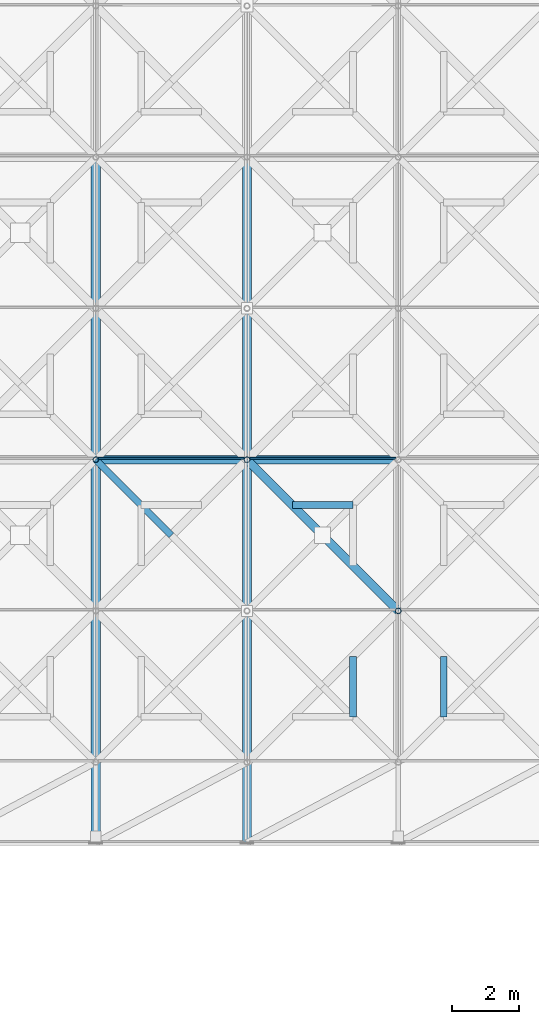
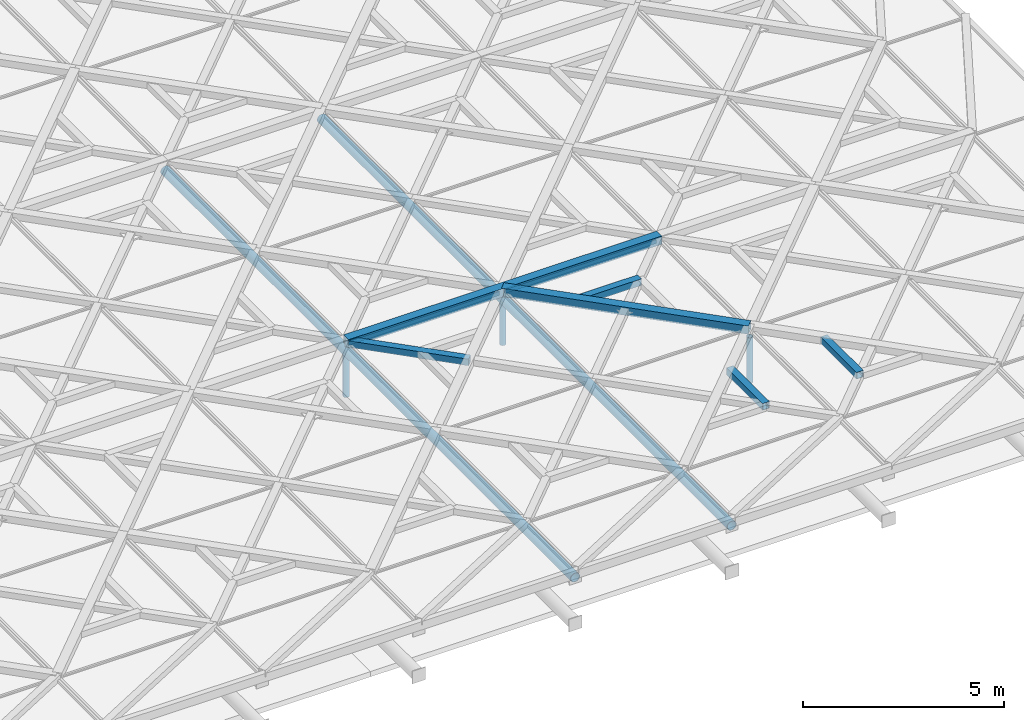
# One storey, part 23 of 80: 13 members, 2 elements without a shape of their own.
"""IFC4 building model written with IfcOpenShell, lengths in metres."""

from ifc_helpers import new_model, si_unit, direction, frame, origin, origin_2d, place, context, subcontext, project, spatial, rectangle, hollow_rectangle, hollow_circle, extrude, material, material_profile, profile_set, type_object, element, aggregate, save


model = new_model("IFC4")

# Units and contexts
model_context = context("Model", 3, precision=1e-05, world=origin(), true_north=direction((0.0, 1.0)))
body_context = subcontext(model_context, "Body", "Model", "MODEL_VIEW")
ifc_project = project(units=[si_unit("LENGTHUNIT", "METRE"), si_unit("AREAUNIT", "SQUARE_METRE"), si_unit("VOLUMEUNIT", "CUBIC_METRE"), si_unit("PLANEANGLEUNIT", "RADIAN"), si_unit("MASSUNIT", "GRAM", prefix="KILO"), si_unit("THERMODYNAMICTEMPERATUREUNIT", "KELVIN"), si_unit("POWERUNIT", "WATT")], contexts=[model_context])

# Site, building, storey
site_placement = place(None, origin())
site = spatial("IfcSite", under=ifc_project, at=site_placement, CompositionType="ELEMENT")
building_placement = place(site_placement, origin())
building = spatial("IfcBuilding", under=site, at=building_placement, Name="Tallowbark Science Centre", CompositionType="ELEMENT")
storey_placement = place(building_placement, frame((0.0, 0.0, 25.949951171875)))
storey = spatial("IfcBuildingStorey", under=building, at=storey_placement, Name="ROOF", CompositionType="ELEMENT", Elevation=25.949951171875)

# Curtain wall, member
ifc_material_1 = material(Name="Blue-Tinted Laminated Low-E Skylight Glass", Category="glass")
curtain_wall_type = type_object("IfcCurtainWallType", Name="CW-SKY-ROOF", PredefinedType="NOTDEFINED", material=ifc_material_1)
curtain_wall_1_placement = place(storey_placement, origin())
curtain_wall_1 = element("IfcCurtainWall", 1, at=curtain_wall_1_placement, inside=storey, type_object=curtain_wall_type, Name="Exhibition Star-Screen Skylight Bay 8", PredefinedType="NOTDEFINED")
ifc_material_2 = material(Name="Anodised Architectural Aluminium Alloy 6063-T6", Category="aluminium")
ifc_material_profile_1 = material_profile(ifc_material_2, rectangle(XDim=0.054931640625, YDim=0.1201171875, at=origin_2d()), Name="ALU55x120")
ifc_profile_set_1 = profile_set([ifc_material_profile_1], Name="Anodised Architectural Aluminium Alloy 6063-T6")
member_type_1 = type_object("IfcMemberType", Name="CWM-SKY-TRN", PredefinedType="USERDEFINED", material=ifc_profile_set_1)
member_1_placement = place(storey_placement, frame((85.580078125, 13.5400390625, 0.35205078125), z_axis=(1.0, 0.0, 0.0), x_axis=(0.0, 1.0, 0.0)))
member_1 = element("IfcMember", 2, at=member_1_placement, type_object=member_type_1, Name="Skylight Bay 8 Transom 4", ObjectType="TRANSOM", PredefinedType="USERDEFINED", context=body_context, shape_type="SweptSolid", body=[
    extrude(rectangle(XDim=0.054931640625, YDim=0.1201171875, at=origin_2d()), origin(), (0.0, 0.0, 1.0), 4.33984375),
])
aggregate(curtain_wall_1, [member_1])

curtain_wall_2_placement = place(storey_placement, origin())
curtain_wall_2 = element("IfcCurtainWall", 3, at=curtain_wall_2_placement, inside=storey, type_object=curtain_wall_type, Name="Exhibition Star-Screen Skylight Bay 9", PredefinedType="NOTDEFINED")
member_2_placement = place(storey_placement, frame((90.080078125, 13.5400390625, 0.35205078125), z_axis=(1.0, 0.0, 0.0), x_axis=(0.0, 1.0, 0.0)))
member_2 = element("IfcMember", 4, at=member_2_placement, type_object=member_type_1, Name="Skylight Bay 9 Transom 4", ObjectType="TRANSOM", PredefinedType="USERDEFINED", context=body_context, shape_type="SweptSolid", body=[
    extrude(rectangle(XDim=0.054931640625, YDim=0.1201171875, at=origin_2d()), origin(), (0.0, 0.0, 1.0), 4.33984375),
])
aggregate(curtain_wall_2, [member_2])

# Members
ifc_material_3 = material(Name="White Architectural Painted Steel Grade C350L0 (350 MPa)", Category="steel")
ifc_material_profile_2 = material_profile(ifc_material_3, hollow_rectangle(XDim=0.25, YDim=0.25, WallThickness=0.009033203125, at=origin_2d()), Name="250x250x9.0SHS")
ifc_profile_set_2 = profile_set([ifc_material_profile_2], Name="White Architectural Painted Steel Grade C350L0 (350 MPa)")
member_type_2 = type_object("IfcMemberType", Name="SCR-CHD200", PredefinedType="CHORD", material=ifc_profile_set_2)
member_3_placement = place(storey_placement, frame((85.5, 13.5, 0.449951171875), z_axis=(1.0, 0.0, 0.0), x_axis=(0.0, 1.0, 0.0)))
element("IfcMember", 5, at=member_3_placement, inside=storey, type_object=member_type_2, Name="Star Screen Frame Chord TOP-66", PredefinedType="CHORD", context=body_context, shape_type="SweptSolid", body=[
    extrude(hollow_rectangle(XDim=0.25, YDim=0.25, WallThickness=0.009033203125, at=origin_2d()), origin(), (0.0, 0.0, 1.0), 9.0),
])
member_4_placement = place(storey_placement, frame((94.5, 9.0, 0.449951171875), z_axis=(-0.707106781187, 0.707106781187, 0.0), x_axis=(-0.707106781187, -0.707106781187, 0.0)))
element("IfcMember", 6, at=member_4_placement, inside=storey, type_object=member_type_2, Name="Star Screen Octagram Diamond Chord TOP-66-2", PredefinedType="CHORD", context=body_context, shape_type="SweptSolid", body=[
    extrude(hollow_rectangle(XDim=0.25, YDim=0.25, WallThickness=0.009033203125, at=origin_2d()), origin(), (0.0, 0.0, 1.0), 6.364013671875),
])
ifc_material_profile_3 = material_profile(ifc_material_3, hollow_rectangle(XDim=0.199951171875, YDim=0.199951171875, WallThickness=0.009033203125, at=origin_2d()), Name="200x200x9.0SHS")
ifc_profile_set_3 = profile_set([ifc_material_profile_3], Name="White Architectural Painted Steel Grade C350L0 (350 MPa)")
member_type_3 = type_object("IfcMemberType", Name="SCR-STAR139", PredefinedType="BRACE", material=ifc_profile_set_3)
member_5_placement = place(storey_placement, frame((85.5, 13.5, 0.449951171875), z_axis=(0.707106781187, -0.707106781187, 0.0), x_axis=(0.707106781187, 0.707106781187, 0.0)))
element("IfcMember", 7, at=member_5_placement, inside=storey, type_object=member_type_3, Name="Star Screen Split X-Diagonal D2A TOP-66", PredefinedType="BRACE", context=body_context, shape_type="SweptSolid", body=[
    extrude(hollow_rectangle(XDim=0.199951171875, YDim=0.199951171875, WallThickness=0.009033203125, at=origin_2d()), origin(), (0.0, 0.0, 1.0), 3.181884765625),
])
ifc_material_profile_4 = material_profile(ifc_material_3, hollow_rectangle(XDim=0.199951171875, YDim=0.199951171875, WallThickness=0.009033203125, at=origin_2d()), Name="200x200x9.0SHS")
ifc_profile_set_4 = profile_set([ifc_material_profile_4], Name="White Architectural Painted Steel Grade C350L0 (350 MPa)")
member_type_4 = type_object("IfcMemberType", Name="SCR-SUB150", PredefinedType="BRACE", material=ifc_profile_set_4)
for number, where, z_axis, x_axis, name in (
    (8, (93.14990234375, 5.85009765625, 0.449951171875), (0.0, 1.0, 0.0), (-1.0, 0.0, 0.0), "Star Screen Octagram Point Ray TOP-66-4"),
    (9, (93.14990234375, 12.14990234375, 0.449951171875), (-1.0, 0.0, 0.0), (0.0, -1.0, 0.0), "Star Screen Octagram Point Ray TOP-66-5"),
    (10, (95.85009765625, 5.85009765625, 0.449951171875), (0.0, 1.0, 0.0), (-1.0, 0.0, 0.0), "Star Screen Octagram Point Ray TOP-70-2"),
):
    element("IfcMember", number, at=place(storey_placement, frame(where, z_axis=z_axis, x_axis=x_axis)), inside=storey, type_object=member_type_4, Name=name, PredefinedType="BRACE", context=body_context, shape_type="SweptSolid", body=[
        extrude(hollow_rectangle(XDim=0.199951171875, YDim=0.199951171875, WallThickness=0.009033203125, at=origin_2d()), origin(), (0.0, 0.0, 1.0), 1.7998046875),
    ])
ifc_material_profile_5 = material_profile(ifc_material_3, hollow_circle(Radius=0.136474609375, WallThickness=0.00927734375, at=origin_2d()), Name="273.1x9.3CHS")
ifc_profile_set_5 = profile_set([ifc_material_profile_5], Name="White Architectural Painted Steel Grade C350L0 (350 MPa)")
member_type_5 = type_object("IfcMemberType", Name="TR-CHD273", PredefinedType="CHORD", material=ifc_profile_set_5)
for number, where, z_axis, x_axis, name in (
    (11, (85.5, 2.10009765625, 0.18994140625), (0.0, 1.0, 0.0), (-1.0, 0.0, 0.0), "Exhibition Roof Truss South Top Chord 7"),
    (12, (90.0, 2.10009765625, 0.18994140625), (0.0, 1.0, 0.0), (-1.0, 0.0, 0.0), "Exhibition Roof Truss South Top Chord 8"),
):
    element("IfcMember", number, at=place(storey_placement, frame(where, z_axis=z_axis, x_axis=x_axis)), inside=storey, type_object=member_type_5, Name=name, PredefinedType="CHORD", context=body_context, shape_type="SweptSolid", body=[
        extrude(hollow_circle(Radius=0.136474609375, WallThickness=0.00927734375, at=origin_2d()), origin(), (0.0, 0.0, 1.0), 20.39990234375),
    ])
ifc_material_profile_6 = material_profile(ifc_material_3, hollow_circle(Radius=0.084228515625, WallThickness=0.007080078125, at=origin_2d()), Name="168.3x7.1CHS")
ifc_profile_set_6 = profile_set([ifc_material_profile_6], Name="White Architectural Painted Steel Grade C350L0 (350 MPa)")
member_type_6 = type_object("IfcMemberType", Name="TR-WEB168", PredefinedType="BRACE", material=ifc_profile_set_6)
for number, where, z_axis, x_axis, name in (
    (13, (85.5, 13.5, -1.199951171875), (0.0, 0.0, 1.0), (1.0, 0.0, 0.0), "Exhibition Roof Truss Web 7-13.5"),
    (14, (90.0, 13.5, -1.199951171875), (0.0, 0.0, 1.0), (1.0, 0.0, 0.0), "Exhibition Roof Truss Web 8-13.5"),
    (15, (94.5, 9.0, -1.199951171875), (0.0, 0.0, 1.0), (1.0, 0.0, 0.0), "Exhibition Roof Truss Web 9-9"),
):
    element("IfcMember", number, at=place(storey_placement, frame(where, z_axis=z_axis, x_axis=x_axis)), inside=storey, type_object=member_type_6, Name=name, PredefinedType="BRACE", context=body_context, shape_type="SweptSolid", body=[
        extrude(hollow_circle(Radius=0.084228515625, WallThickness=0.007080078125, at=origin_2d()), origin(), (0.0, 0.0, 1.0), 1.389892578125),
    ])

save(model, "model.ifc")
